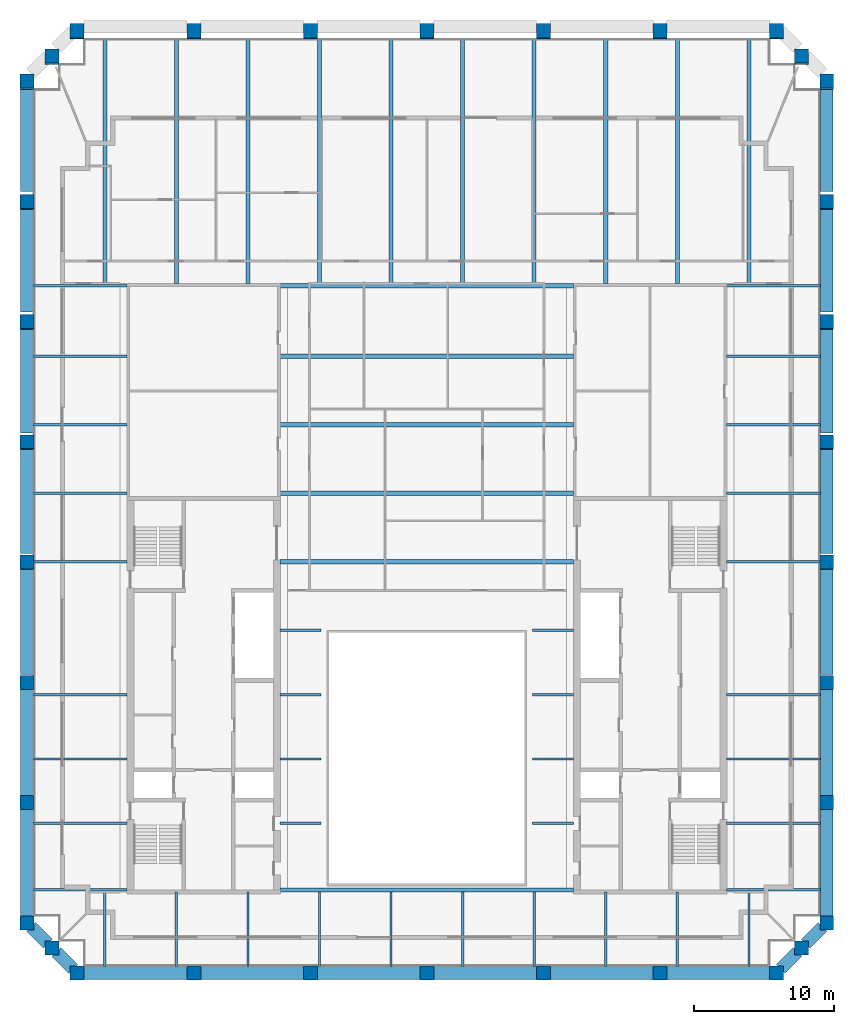
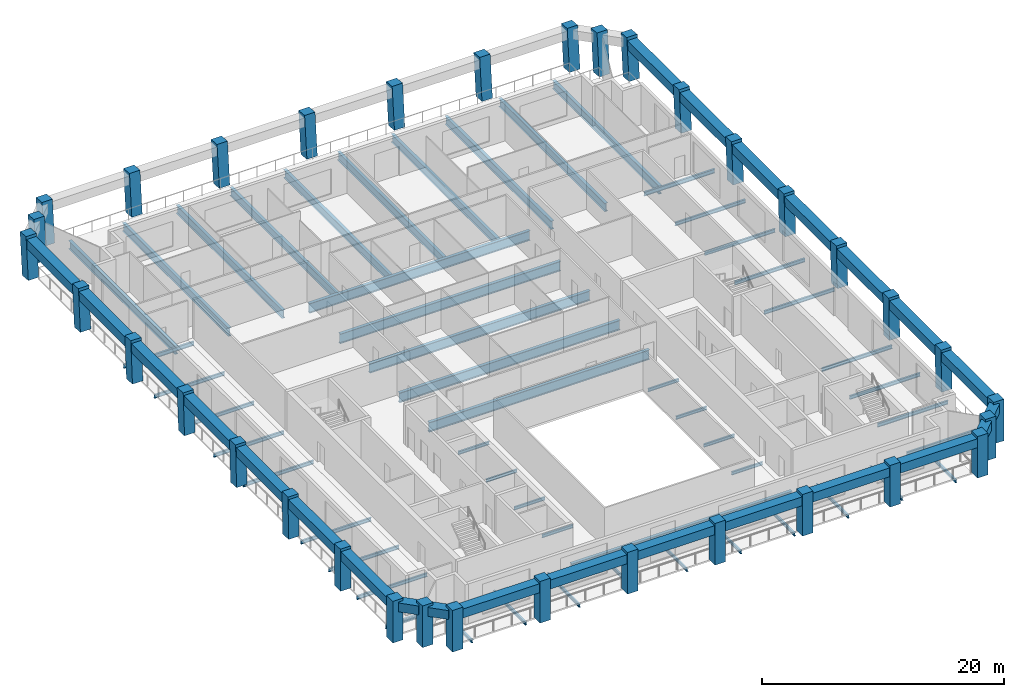
# One storey, part 1 of 8: 76 beams, 34 columns.
"""IFC4 building model written with IfcOpenShell, lengths in metres."""

from ifc_helpers import new_model, si_unit, direction, frame, origin, origin_2d, place, context, subcontext, project, spatial, rectangle, i_section, extrude, material, material_profile, profile_set, type_object, element, save


model = new_model("IFC4")

# Units and contexts
model_context = context("Model", 3, precision=1e-05, world=origin(), true_north=direction((0.0, 1.0)))
body_context = subcontext(model_context, "Body", "Model", "MODEL_VIEW")
ifc_project = project(units=[si_unit("LENGTHUNIT", "METRE"), si_unit("AREAUNIT", "SQUARE_METRE"), si_unit("VOLUMEUNIT", "CUBIC_METRE"), si_unit("PLANEANGLEUNIT", "RADIAN"), si_unit("MASSUNIT", "GRAM", prefix="KILO")], contexts=[model_context])

# Site, building, storey
site_placement = place(None, origin())
site = spatial("IfcSite", under=ifc_project, at=site_placement, CompositionType="ELEMENT")
building_placement = place(site_placement, origin())
building = spatial("IfcBuilding", under=site, at=building_placement, Name="Ogive Exchange Tower", CompositionType="ELEMENT")
storey_placement = place(building_placement, frame((0.0, 0.0, 342.60009765625)))
storey = spatial("IfcBuildingStorey", under=building, at=storey_placement, Name="L75", CompositionType="ELEMENT", Elevation=342.60009765625)

# Columns
ifc_material_1 = material(Name="Precast concrete C70/85 (limestone faced)", Category="masonry")
ifc_material_profile_1 = material_profile(ifc_material_1, rectangle(XDim=1.0, YDim=1.0, at=origin_2d()), Name="1000 x 1000")
ifc_profile_set_1 = profile_set([ifc_material_profile_1], Name="Precast concrete C70/85 (limestone faced)")
column_type = type_object("IfcColumnType", Name="Precast exoskeleton leg 1000 x 1000 C70/85", PredefinedType="COLUMN", material=ifc_profile_set_1)
for number, where, z_axis, x_axis, name in (
    (1, (-25.050048828125, -8.39990234375, 0.0), (0.0, 0.0, 1.0), (1.0, 0.0, 0.0), "Exoskeleton leg 1"),
    (2, (-16.699951171875, -8.39990234375, 0.0), (0.0, 0.0, 1.0), (1.0, 0.0, 0.0), "Exoskeleton leg 2"),
    (3, (-8.35009765625, -8.39990234375, 0.0), (0.0, 0.0, 1.0), (1.0, 0.0, 0.0), "Exoskeleton leg 3"),
    (4, (0.0, -8.39990234375, 0.0), (0.0, 0.0, 1.0), (1.0, 0.0, 0.0), "Exoskeleton leg 4"),
    (5, (8.35009765625, -8.39990234375, 0.0), (0.0, 0.0, 1.0), (1.0, 0.0, 0.0), "Exoskeleton leg 5"),
    (6, (16.699951171875, -8.39990234375, 0.0), (0.0, 0.0, 1.0), (1.0, 0.0, 0.0), "Exoskeleton leg 6"),
    (7, (25.050048828125, -8.39990234375, 0.0), (0.0, 0.0, 1.0), (1.0, 0.0, 0.0), "Exoskeleton leg 7"),
    (8, (28.64990234375, -4.800048828125, 0.0), (0.0, 0.0, 1.0), (1.0, 0.0, 0.0), "Exoskeleton leg 8"),
):
    element("IfcColumn", number, at=place(storey_placement, frame(where, z_axis=z_axis, x_axis=x_axis)), inside=storey, type_object=column_type, Name=name, PredefinedType="COLUMN", context=body_context, shape_type="SweptSolid", body=[
        extrude(rectangle(XDim=1.0, YDim=1.0, at=origin_2d()), origin(), (0.0, 0.0, 1.0), 4.199951171875),
    ])
column_1_placement = place(storey_placement, frame((28.64990234375, 3.800048828125, 0.0), z_axis=(0.0, 0.012961766342, 0.999915992778), x_axis=(-1.0, 0.0, 0.0)))
element("IfcColumn", 9, at=column_1_placement, inside=storey, type_object=column_type, Name="Exoskeleton leg 9", PredefinedType="COLUMN", context=body_context, shape_type="SweptSolid", body=[
    extrude(rectangle(XDim=1.0, YDim=1.0, at=origin_2d()), origin(), (0.0, 0.0, 1.0), 4.2001953125),
])
column_2_placement = place(storey_placement, frame((28.64990234375, 12.39990234375, 0.0), z_axis=(0.0, 0.025975072843, 0.999662590873), x_axis=(-1.0, 0.0, 0.0)))
element("IfcColumn", 10, at=column_2_placement, inside=storey, type_object=column_type, Name="Exoskeleton leg 10", PredefinedType="COLUMN", context=body_context, shape_type="SweptSolid", body=[
    extrude(rectangle(XDim=1.0, YDim=1.0, at=origin_2d()), origin(), (0.0, 0.0, 1.0), 4.201416015625),
])
column_3_placement = place(storey_placement, frame((28.64990234375, 21.0, 0.0), z_axis=(0.0, 0.038917190853, 0.999242439179), x_axis=(-1.0, 0.0, 0.0)))
element("IfcColumn", 11, at=column_3_placement, inside=storey, type_object=column_type, Name="Exoskeleton leg 11", PredefinedType="COLUMN", context=body_context, shape_type="SweptSolid", body=[
    extrude(rectangle(XDim=1.0, YDim=1.0, at=origin_2d()), origin(), (0.0, 0.0, 1.0), 4.203125),
])
column_4_placement = place(storey_placement, frame((28.64990234375, 29.60009765625, 0.0), z_axis=(0.0, 0.051839753909, 0.998655416004), x_axis=(-1.0, 0.0, 0.0)))
element("IfcColumn", 12, at=column_4_placement, inside=storey, type_object=column_type, Name="Exoskeleton leg 12", PredefinedType="COLUMN", context=body_context, shape_type="SweptSolid", body=[
    extrude(rectangle(XDim=1.0, YDim=1.0, at=origin_2d()), origin(), (0.0, 0.0, 1.0), 4.20556640625),
])
column_5_placement = place(storey_placement, frame((28.64990234375, 38.199951171875, 0.0), z_axis=(0.0, 0.064794093908, 0.997898654872), x_axis=(-1.0, 0.0, 0.0)))
element("IfcColumn", 13, at=column_5_placement, inside=storey, type_object=column_type, Name="Exoskeleton leg 13", PredefinedType="COLUMN", context=body_context, shape_type="SweptSolid", body=[
    extrude(rectangle(XDim=1.0, YDim=1.0, at=origin_2d()), origin(), (0.0, 0.0, 1.0), 4.208740234375),
])
column_6_placement = place(storey_placement, frame((28.64990234375, 46.800048828125, 0.0), z_axis=(0.0, 0.077658156178, 0.996980045326), x_axis=(-1.0, 0.0, 0.0)))
element("IfcColumn", 14, at=column_6_placement, inside=storey, type_object=column_type, Name="Exoskeleton leg 14", PredefinedType="COLUMN", context=body_context, shape_type="SweptSolid", body=[
    extrude(rectangle(XDim=1.0, YDim=1.0, at=origin_2d()), origin(), (0.0, 0.0, 1.0), 4.212646484375),
])
for number, where, z_axis, x_axis, name in (
    (15, (28.64990234375, 55.39990234375, 0.0), (0.0, 0.090540965689, 0.995892731941), (-1.0, 0.0, 0.0), "Exoskeleton leg 15"),
    (16, (25.050048828125, 59.0, 0.0), (0.0, 0.090540965689, 0.995892731941), (-1.0, 0.0, 0.0), "Exoskeleton leg 16"),
    (17, (16.699951171875, 59.0, 0.0), (0.0, 0.090540965689, 0.995892731941), (-1.0, 0.0, 0.0), "Exoskeleton leg 17"),
    (18, (8.35009765625, 59.0, 0.0), (0.0, 0.090540965689, 0.995892731941), (-1.0, 0.0, 0.0), "Exoskeleton leg 18"),
    (19, (0.0, 59.0, 0.0), (0.0, 0.090540965689, 0.995892731941), (-1.0, 0.0, 0.0), "Exoskeleton leg 19"),
    (20, (-8.35009765625, 59.0, 0.0), (0.0, 0.090540965689, 0.995892731941), (-1.0, 0.0, 0.0), "Exoskeleton leg 20"),
    (21, (-16.699951171875, 59.0, 0.0), (0.0, 0.090540965689, 0.995892731941), (-1.0, 0.0, 0.0), "Exoskeleton leg 21"),
    (22, (-25.050048828125, 59.0, 0.0), (0.0, 0.090540965689, 0.995892731941), (-1.0, 0.0, 0.0), "Exoskeleton leg 22"),
    (23, (-28.64990234375, 55.39990234375, 0.0), (0.0, 0.090540965689, 0.995892731941), (-1.0, 0.0, 0.0), "Exoskeleton leg 23"),
):
    element("IfcColumn", number, at=place(storey_placement, frame(where, z_axis=z_axis, x_axis=x_axis)), inside=storey, type_object=column_type, Name=name, PredefinedType="COLUMN", context=body_context, shape_type="SweptSolid", body=[
        extrude(rectangle(XDim=1.0, YDim=1.0, at=origin_2d()), origin(), (0.0, 0.0, 1.0), 4.21728515625),
    ])
column_7_placement = place(storey_placement, frame((-28.64990234375, 46.800048828125, 0.0), z_axis=(0.0, 0.077658156178, 0.996980045326), x_axis=(-1.0, 0.0, 0.0)))
element("IfcColumn", 24, at=column_7_placement, inside=storey, type_object=column_type, Name="Exoskeleton leg 24", PredefinedType="COLUMN", context=body_context, shape_type="SweptSolid", body=[
    extrude(rectangle(XDim=1.0, YDim=1.0, at=origin_2d()), origin(), (0.0, 0.0, 1.0), 4.212646484375),
])
column_8_placement = place(storey_placement, frame((-28.64990234375, 38.199951171875, 0.0), z_axis=(0.0, 0.064794093908, 0.997898654872), x_axis=(-1.0, 0.0, 0.0)))
element("IfcColumn", 25, at=column_8_placement, inside=storey, type_object=column_type, Name="Exoskeleton leg 25", PredefinedType="COLUMN", context=body_context, shape_type="SweptSolid", body=[
    extrude(rectangle(XDim=1.0, YDim=1.0, at=origin_2d()), origin(), (0.0, 0.0, 1.0), 4.208740234375),
])
column_9_placement = place(storey_placement, frame((-28.64990234375, 29.60009765625, 0.0), z_axis=(0.0, 0.051839753909, 0.998655416004), x_axis=(-1.0, 0.0, 0.0)))
element("IfcColumn", 26, at=column_9_placement, inside=storey, type_object=column_type, Name="Exoskeleton leg 26", PredefinedType="COLUMN", context=body_context, shape_type="SweptSolid", body=[
    extrude(rectangle(XDim=1.0, YDim=1.0, at=origin_2d()), origin(), (0.0, 0.0, 1.0), 4.20556640625),
])
column_10_placement = place(storey_placement, frame((-28.64990234375, 21.0, 0.0), z_axis=(0.0, 0.038917190853, 0.999242439179), x_axis=(-1.0, 0.0, 0.0)))
element("IfcColumn", 27, at=column_10_placement, inside=storey, type_object=column_type, Name="Exoskeleton leg 27", PredefinedType="COLUMN", context=body_context, shape_type="SweptSolid", body=[
    extrude(rectangle(XDim=1.0, YDim=1.0, at=origin_2d()), origin(), (0.0, 0.0, 1.0), 4.203125),
])
column_11_placement = place(storey_placement, frame((-28.64990234375, 12.39990234375, 0.0), z_axis=(0.0, 0.025975072843, 0.999662590873), x_axis=(-1.0, 0.0, 0.0)))
element("IfcColumn", 28, at=column_11_placement, inside=storey, type_object=column_type, Name="Exoskeleton leg 28", PredefinedType="COLUMN", context=body_context, shape_type="SweptSolid", body=[
    extrude(rectangle(XDim=1.0, YDim=1.0, at=origin_2d()), origin(), (0.0, 0.0, 1.0), 4.201416015625),
])
column_12_placement = place(storey_placement, frame((-28.64990234375, 3.800048828125, 0.0), z_axis=(0.0, 0.012961766342, 0.999915992778), x_axis=(-1.0, 0.0, 0.0)))
element("IfcColumn", 29, at=column_12_placement, inside=storey, type_object=column_type, Name="Exoskeleton leg 29", PredefinedType="COLUMN", context=body_context, shape_type="SweptSolid", body=[
    extrude(rectangle(XDim=1.0, YDim=1.0, at=origin_2d()), origin(), (0.0, 0.0, 1.0), 4.2001953125),
])
for number, where, z_axis, x_axis, name in (
    (30, (-28.64990234375, -4.800048828125, 0.0), (0.0, 0.0, 1.0), (1.0, 0.0, 0.0), "Exoskeleton leg 30"),
    (31, (26.85009765625, -6.60009765625, 0.0), (0.0, 0.0, 1.0), (1.0, 0.0, 0.0), "Exoskeleton leg 31"),
):
    element("IfcColumn", number, at=place(storey_placement, frame(where, z_axis=z_axis, x_axis=x_axis)), inside=storey, type_object=column_type, Name=name, PredefinedType="COLUMN", context=body_context, shape_type="SweptSolid", body=[
        extrude(rectangle(XDim=1.0, YDim=1.0, at=origin_2d()), origin(), (0.0, 0.0, 1.0), 4.199951171875),
    ])
for number, where, z_axis, x_axis, name in (
    (32, (26.85009765625, 57.199951171875, 0.0), (0.0, 0.090540965689, 0.995892731941), (-1.0, 0.0, 0.0), "Exoskeleton leg 32"),
    (33, (-26.85009765625, 57.199951171875, 0.0), (0.0, 0.090540965689, 0.995892731941), (-1.0, 0.0, 0.0), "Exoskeleton leg 33"),
):
    element("IfcColumn", number, at=place(storey_placement, frame(where, z_axis=z_axis, x_axis=x_axis)), inside=storey, type_object=column_type, Name=name, PredefinedType="COLUMN", context=body_context, shape_type="SweptSolid", body=[
        extrude(rectangle(XDim=1.0, YDim=1.0, at=origin_2d()), origin(), (0.0, 0.0, 1.0), 4.21728515625),
    ])
column_13_placement = place(storey_placement, frame((-26.85009765625, -6.60009765625, 0.0), z_axis=(0.0, 0.0, 1.0), x_axis=(1.0, 0.0, 0.0)))
element("IfcColumn", 34, at=column_13_placement, inside=storey, type_object=column_type, Name="Exoskeleton leg 34", PredefinedType="COLUMN", context=body_context, shape_type="SweptSolid", body=[
    extrude(rectangle(XDim=1.0, YDim=1.0, at=origin_2d()), origin(), (0.0, 0.0, 1.0), 4.199951171875),
])

# Beams
ifc_material_2 = material(Name="Steel ASTM A992 Gr50", Category="steel")
ifc_material_profile_2 = material_profile(ifc_material_2, i_section(OverallWidth=0.300048828125, OverallDepth=0.97998046875, WebThickness=0.0166015625, FlangeThickness=0.026123046875, at=origin_2d()), Name="W1000x249")
ifc_profile_set_2 = profile_set([ifc_material_profile_2], Name="Steel ASTM A992 Gr50")
beam_type_1 = type_object("IfcBeamType", Name="Floor beam W1000x249", PredefinedType="JOIST", material=ifc_profile_set_2)
for number, where, z_axis, x_axis, name in (
    (35, (-10.52001953125, 21.06201171875, -0.690185546875), (1.0, 0.0, 0.0), (0.0, 1.0, 0.0), "Floor beam"),
    (36, (-10.52001953125, 25.968994140625, -0.690185546875), (1.0, 0.0, 0.0), (0.0, 1.0, 0.0), "Floor beam"),
    (37, (-10.52001953125, 30.8759765625, -0.690185546875), (1.0, 0.0, 0.0), (0.0, 1.0, 0.0), "Floor beam"),
    (38, (-10.52001953125, 35.782958984375, -0.690185546875), (1.0, 0.0, 0.0), (0.0, 1.0, 0.0), "Floor beam"),
):
    element("IfcBeam", number, at=place(storey_placement, frame(where, z_axis=z_axis, x_axis=x_axis)), inside=storey, type_object=beam_type_1, Name=name, PredefinedType="JOIST", context=body_context, shape_type="SweptSolid", body=[
        extrude(i_section(OverallWidth=0.300048828125, OverallDepth=0.97998046875, WebThickness=0.0166015625, FlangeThickness=0.026123046875, at=origin_2d()), origin(), (0.0, 0.0, 1.0), 21.0400390625),
    ])
ifc_material_profile_3 = material_profile(ifc_material_2, i_section(OverallWidth=0.1650390625, OverallDepth=0.31005859375, WebThickness=0.005859375, FlangeThickness=0.009765625, at=origin_2d()), Name="W310x38.7")
ifc_profile_set_3 = profile_set([ifc_material_profile_3], Name="Steel ASTM A992 Gr50")
beam_type_2 = type_object("IfcBeamType", Name="Floor beam W310x38.7", PredefinedType="JOIST", material=ifc_profile_set_3)
for number, where, z_axis, x_axis, name in (
    (39, (-10.52001953125, 2.3212890625, -0.35498046875), (1.0, 0.0, 0.0), (0.0, 1.0, 0.0), "Floor beam"),
    (40, (7.570068359375, 2.3212890625, -0.35498046875), (1.0, 0.0, 0.0), (0.0, 1.0, 0.0), "Floor beam"),
    (41, (-10.52001953125, 6.9326171875, -0.35498046875), (1.0, 0.0, 0.0), (0.0, 1.0, 0.0), "Floor beam"),
    (42, (7.570068359375, 6.9326171875, -0.35498046875), (1.0, 0.0, 0.0), (0.0, 1.0, 0.0), "Floor beam"),
    (43, (-10.52001953125, 11.543701171875, -0.35498046875), (1.0, 0.0, 0.0), (0.0, 1.0, 0.0), "Floor beam"),
    (44, (7.570068359375, 11.543701171875, -0.35498046875), (1.0, 0.0, 0.0), (0.0, 1.0, 0.0), "Floor beam"),
):
    element("IfcBeam", number, at=place(storey_placement, frame(where, z_axis=z_axis, x_axis=x_axis)), inside=storey, type_object=beam_type_2, Name=name, PredefinedType="JOIST", context=body_context, shape_type="SweptSolid", body=[
        extrude(i_section(OverallWidth=0.1650390625, OverallDepth=0.31005859375, WebThickness=0.005859375, FlangeThickness=0.009765625, at=origin_2d()), origin(), (0.0, 0.0, 1.0), 2.949951171875),
    ])
beam_1_placement = place(storey_placement, frame((-23.07275390625, -7.949951171875, -0.35498046875), z_axis=(0.0, 1.0, 0.0), x_axis=(-1.0, 0.0, 0.0)))
element("IfcBeam", 45, at=beam_1_placement, inside=storey, type_object=beam_type_2, Name="Floor beam", PredefinedType="JOIST", context=body_context, shape_type="SweptSolid", body=[
    extrude(i_section(OverallWidth=0.1650390625, OverallDepth=0.31005859375, WebThickness=0.005859375, FlangeThickness=0.009765625, at=origin_2d()), origin(), (0.0, 0.0, 1.0), 5.416015625),
])
for number, where, z_axis, x_axis, name in (
    (46, (-17.945556640625, -7.949951171875, -0.35498046875), (0.0, 1.0, 0.0), (-1.0, 0.0, 0.0), "Floor beam"),
    (47, (-12.818115234375, -7.949951171875, -0.35498046875), (0.0, 1.0, 0.0), (-1.0, 0.0, 0.0), "Floor beam"),
):
    element("IfcBeam", number, at=place(storey_placement, frame(where, z_axis=z_axis, x_axis=x_axis)), inside=storey, type_object=beam_type_2, Name=name, PredefinedType="JOIST", context=body_context, shape_type="SweptSolid", body=[
        extrude(i_section(OverallWidth=0.1650390625, OverallDepth=0.31005859375, WebThickness=0.005859375, FlangeThickness=0.009765625, at=origin_2d()), origin(), (0.0, 0.0, 1.0), 5.349853515625),
    ])
for number, where, z_axis, x_axis, name in (
    (48, (-7.69091796875, -7.949951171875, -0.35498046875), (0.0, 1.0, 0.0), (-1.0, 0.0, 0.0), "Floor beam"),
    (49, (-2.563720703125, -7.949951171875, -0.35498046875), (0.0, 1.0, 0.0), (-1.0, 0.0, 0.0), "Floor beam"),
    (50, (2.563720703125, -7.949951171875, -0.35498046875), (0.0, 1.0, 0.0), (-1.0, 0.0, 0.0), "Floor beam"),
    (51, (7.69091796875, -7.949951171875, -0.35498046875), (0.0, 1.0, 0.0), (-1.0, 0.0, 0.0), "Floor beam"),
):
    element("IfcBeam", number, at=place(storey_placement, frame(where, z_axis=z_axis, x_axis=x_axis)), inside=storey, type_object=beam_type_2, Name=name, PredefinedType="JOIST", context=body_context, shape_type="SweptSolid", body=[
        extrude(i_section(OverallWidth=0.1650390625, OverallDepth=0.31005859375, WebThickness=0.005859375, FlangeThickness=0.009765625, at=origin_2d()), origin(), (0.0, 0.0, 1.0), 5.35498046875),
    ])
for number, where, z_axis, x_axis, name in (
    (52, (12.818115234375, -7.949951171875, -0.35498046875), (0.0, 1.0, 0.0), (-1.0, 0.0, 0.0), "Floor beam"),
    (53, (17.945556640625, -7.949951171875, -0.35498046875), (0.0, 1.0, 0.0), (-1.0, 0.0, 0.0), "Floor beam"),
):
    element("IfcBeam", number, at=place(storey_placement, frame(where, z_axis=z_axis, x_axis=x_axis)), inside=storey, type_object=beam_type_2, Name=name, PredefinedType="JOIST", context=body_context, shape_type="SweptSolid", body=[
        extrude(i_section(OverallWidth=0.1650390625, OverallDepth=0.31005859375, WebThickness=0.005859375, FlangeThickness=0.009765625, at=origin_2d()), origin(), (0.0, 0.0, 1.0), 5.349853515625),
    ])
beam_2_placement = place(storey_placement, frame((23.07275390625, -7.949951171875, -0.35498046875), z_axis=(0.0, 1.0, 0.0), x_axis=(-1.0, 0.0, 0.0)))
element("IfcBeam", 54, at=beam_2_placement, inside=storey, type_object=beam_type_2, Name="Floor beam", PredefinedType="JOIST", context=body_context, shape_type="SweptSolid", body=[
    extrude(i_section(OverallWidth=0.1650390625, OverallDepth=0.31005859375, WebThickness=0.005859375, FlangeThickness=0.009765625, at=origin_2d()), origin(), (0.0, 0.0, 1.0), 5.416015625),
])
ifc_material_profile_4 = material_profile(ifc_material_2, i_section(OverallWidth=0.1708984375, OverallDepth=0.35595703125, WebThickness=0.00732421875, FlangeThickness=0.01171875, at=origin_2d()), Name="W360x51")
ifc_profile_set_4 = profile_set([ifc_material_profile_4], Name="Steel ASTM A992 Gr50")
beam_type_3 = type_object("IfcBeamType", Name="Floor beam W360x51", PredefinedType="JOIST", material=ifc_profile_set_4)
for number, where, z_axis, x_axis, name in (
    (55, (-28.199951171875, 2.3212890625, -0.378173828125), (1.0, 0.0, 0.0), (0.0, 1.0, 0.0), "Floor beam"),
    (56, (21.47998046875, 2.3212890625, -0.378173828125), (1.0, 0.0, 0.0), (0.0, 1.0, 0.0), "Floor beam"),
    (57, (-28.199951171875, 6.9326171875, -0.378173828125), (1.0, 0.0, 0.0), (0.0, 1.0, 0.0), "Floor beam"),
    (58, (21.47998046875, 6.9326171875, -0.378173828125), (1.0, 0.0, 0.0), (0.0, 1.0, 0.0), "Floor beam"),
    (59, (-28.199951171875, 11.543701171875, -0.378173828125), (1.0, 0.0, 0.0), (0.0, 1.0, 0.0), "Floor beam"),
    (60, (21.47998046875, 11.543701171875, -0.378173828125), (1.0, 0.0, 0.0), (0.0, 1.0, 0.0), "Floor beam"),
    (61, (-28.199951171875, 21.06201171875, -0.378173828125), (1.0, 0.0, 0.0), (0.0, 1.0, 0.0), "Floor beam"),
    (62, (21.47998046875, 21.06201171875, -0.378173828125), (1.0, 0.0, 0.0), (0.0, 1.0, 0.0), "Floor beam"),
    (63, (-28.199951171875, 25.968994140625, -0.378173828125), (1.0, 0.0, 0.0), (0.0, 1.0, 0.0), "Floor beam"),
    (64, (21.47998046875, 25.968994140625, -0.378173828125), (1.0, 0.0, 0.0), (0.0, 1.0, 0.0), "Floor beam"),
    (65, (-28.199951171875, 30.8759765625, -0.378173828125), (1.0, 0.0, 0.0), (0.0, 1.0, 0.0), "Floor beam"),
    (66, (21.47998046875, 30.8759765625, -0.378173828125), (1.0, 0.0, 0.0), (0.0, 1.0, 0.0), "Floor beam"),
    (67, (-28.199951171875, 35.782958984375, -0.378173828125), (1.0, 0.0, 0.0), (0.0, 1.0, 0.0), "Floor beam"),
    (68, (21.47998046875, 35.782958984375, -0.378173828125), (1.0, 0.0, 0.0), (0.0, 1.0, 0.0), "Floor beam"),
):
    element("IfcBeam", number, at=place(storey_placement, frame(where, z_axis=z_axis, x_axis=x_axis)), inside=storey, type_object=beam_type_3, Name=name, PredefinedType="JOIST", context=body_context, shape_type="SweptSolid", body=[
        extrude(i_section(OverallWidth=0.1708984375, OverallDepth=0.35595703125, WebThickness=0.00732421875, FlangeThickness=0.01171875, at=origin_2d()), origin(), (0.0, 0.0, 1.0), 6.719970703125),
    ])
ifc_material_profile_5 = material_profile(ifc_material_2, i_section(OverallWidth=0.2919921875, OverallDepth=0.8359375, WebThickness=0.013916015625, FlangeThickness=0.018798828125, at=origin_2d()), Name="W840x176")
ifc_profile_set_5 = profile_set([ifc_material_profile_5], Name="Steel ASTM A992 Gr50")
beam_type_4 = type_object("IfcBeamType", Name="Floor beam W840x176", PredefinedType="JOIST", material=ifc_profile_set_5)
beam_3_placement = place(storey_placement, frame((-23.07275390625, 40.93408203125, -0.6181640625), z_axis=(0.0, 1.0, 0.0), x_axis=(-1.0, 0.0, 0.0)))
element("IfcBeam", 69, at=beam_3_placement, inside=storey, type_object=beam_type_4, Name="Floor beam", PredefinedType="JOIST", context=body_context, shape_type="SweptSolid", body=[
    extrude(i_section(OverallWidth=0.2919921875, OverallDepth=0.8359375, WebThickness=0.013916015625, FlangeThickness=0.018798828125, at=origin_2d()), origin(), (0.0, 0.0, 1.0), 17.615966796875),
])
for number, where, z_axis, x_axis, name in (
    (70, (-17.945556640625, 41.0, -0.6181640625), (0.0, 1.0, 0.0), (-1.0, 0.0, 0.0), "Floor beam"),
    (71, (-12.818115234375, 41.0, -0.6181640625), (0.0, 1.0, 0.0), (-1.0, 0.0, 0.0), "Floor beam"),
):
    element("IfcBeam", number, at=place(storey_placement, frame(where, z_axis=z_axis, x_axis=x_axis)), inside=storey, type_object=beam_type_4, Name=name, PredefinedType="JOIST", context=body_context, shape_type="SweptSolid", body=[
        extrude(i_section(OverallWidth=0.2919921875, OverallDepth=0.8359375, WebThickness=0.013916015625, FlangeThickness=0.018798828125, at=origin_2d()), origin(), (0.0, 0.0, 1.0), 17.550048828125),
    ])
for number, where, z_axis, x_axis, name in (
    (72, (-7.69091796875, 40.9951171875, -0.6181640625), (0.0, 1.0, 0.0), (-1.0, 0.0, 0.0), "Floor beam"),
    (73, (-2.563720703125, 40.9951171875, -0.6181640625), (0.0, 1.0, 0.0), (-1.0, 0.0, 0.0), "Floor beam"),
    (74, (2.563720703125, 40.9951171875, -0.6181640625), (0.0, 1.0, 0.0), (-1.0, 0.0, 0.0), "Floor beam"),
    (75, (7.69091796875, 40.9951171875, -0.6181640625), (0.0, 1.0, 0.0), (-1.0, 0.0, 0.0), "Floor beam"),
):
    element("IfcBeam", number, at=place(storey_placement, frame(where, z_axis=z_axis, x_axis=x_axis)), inside=storey, type_object=beam_type_4, Name=name, PredefinedType="JOIST", context=body_context, shape_type="SweptSolid", body=[
        extrude(i_section(OverallWidth=0.2919921875, OverallDepth=0.8359375, WebThickness=0.013916015625, FlangeThickness=0.018798828125, at=origin_2d()), origin(), (0.0, 0.0, 1.0), 17.554931640625),
    ])
for number, where, z_axis, x_axis, name in (
    (76, (12.818115234375, 41.0, -0.6181640625), (0.0, 1.0, 0.0), (-1.0, 0.0, 0.0), "Floor beam"),
    (77, (17.945556640625, 41.0, -0.6181640625), (0.0, 1.0, 0.0), (-1.0, 0.0, 0.0), "Floor beam"),
):
    element("IfcBeam", number, at=place(storey_placement, frame(where, z_axis=z_axis, x_axis=x_axis)), inside=storey, type_object=beam_type_4, Name=name, PredefinedType="JOIST", context=body_context, shape_type="SweptSolid", body=[
        extrude(i_section(OverallWidth=0.2919921875, OverallDepth=0.8359375, WebThickness=0.013916015625, FlangeThickness=0.018798828125, at=origin_2d()), origin(), (0.0, 0.0, 1.0), 17.550048828125),
    ])
beam_4_placement = place(storey_placement, frame((23.07275390625, 40.93408203125, -0.6181640625), z_axis=(0.0, 1.0, 0.0), x_axis=(-1.0, 0.0, 0.0)))
element("IfcBeam", 78, at=beam_4_placement, inside=storey, type_object=beam_type_4, Name="Floor beam", PredefinedType="JOIST", context=body_context, shape_type="SweptSolid", body=[
    extrude(i_section(OverallWidth=0.2919921875, OverallDepth=0.8359375, WebThickness=0.013916015625, FlangeThickness=0.018798828125, at=origin_2d()), origin(), (0.0, 0.0, 1.0), 17.615966796875),
])
ifc_material_profile_6 = material_profile(ifc_material_2, i_section(OverallWidth=0.300048828125, OverallDepth=0.97998046875, WebThickness=0.0166015625, FlangeThickness=0.026123046875, at=origin_2d()), Name="W1000x249")
ifc_profile_set_6 = profile_set([ifc_material_profile_6], Name="Steel ASTM A992 Gr50")
beam_type_5 = type_object("IfcBeamType", Name="Girder W1000x249", PredefinedType="BEAM", material=ifc_profile_set_6)
for number, where, z_axis, x_axis, name in (
    (79, (-10.52001953125, -2.445068359375, -0.690185546875), (1.0, 0.0, 0.0), (0.0, 1.0, 0.0), "Header girder"),
    (80, (-10.52001953125, 40.844970703125, -0.690185546875), (1.0, 0.0, 0.0), (0.0, 1.0, 0.0), "Header girder"),
):
    element("IfcBeam", number, at=place(storey_placement, frame(where, z_axis=z_axis, x_axis=x_axis)), inside=storey, type_object=beam_type_5, Name=name, PredefinedType="BEAM", context=body_context, shape_type="SweptSolid", body=[
        extrude(i_section(OverallWidth=0.300048828125, OverallDepth=0.97998046875, WebThickness=0.0166015625, FlangeThickness=0.026123046875, at=origin_2d()), origin(), (0.0, 0.0, 1.0), 21.0400390625),
    ])
ifc_material_profile_7 = material_profile(ifc_material_2, i_section(OverallWidth=0.1650390625, OverallDepth=0.31005859375, WebThickness=0.005859375, FlangeThickness=0.009765625, at=origin_2d()), Name="W310x38.7")
ifc_profile_set_7 = profile_set([ifc_material_profile_7], Name="Steel ASTM A992 Gr50")
beam_type_6 = type_object("IfcBeamType", Name="Girder W310x38.7", PredefinedType="BEAM", material=ifc_profile_set_7)
for number, where, z_axis, x_axis, name in (
    (81, (-10.52001953125, 16.155029296875, -0.35498046875), (1.0, 0.0, 0.0), (0.0, 1.0, 0.0), "Trimmer girder"),
    (82, (7.570068359375, 16.155029296875, -0.35498046875), (1.0, 0.0, 0.0), (0.0, 1.0, 0.0), "Trimmer girder"),
):
    element("IfcBeam", number, at=place(storey_placement, frame(where, z_axis=z_axis, x_axis=x_axis)), inside=storey, type_object=beam_type_6, Name=name, PredefinedType="BEAM", context=body_context, shape_type="SweptSolid", body=[
        extrude(i_section(OverallWidth=0.1650390625, OverallDepth=0.31005859375, WebThickness=0.005859375, FlangeThickness=0.009765625, at=origin_2d()), origin(), (0.0, 0.0, 1.0), 2.949951171875),
    ])
ifc_material_profile_8 = material_profile(ifc_material_2, i_section(OverallWidth=0.177978515625, OverallDepth=0.406005859375, WebThickness=0.0078125, FlangeThickness=0.0126953125, at=origin_2d()), Name="W410x60")
ifc_profile_set_8 = profile_set([ifc_material_profile_8], Name="Steel ASTM A992 Gr50")
beam_type_7 = type_object("IfcBeamType", Name="Girder W410x60", PredefinedType="BEAM", material=ifc_profile_set_8)
for number, where, z_axis, x_axis, name in (
    (83, (-28.199951171875, -2.445068359375, -0.403076171875), (1.0, 0.0, 0.0), (0.0, 1.0, 0.0), "Header girder"),
    (84, (21.47998046875, -2.445068359375, -0.403076171875), (1.0, 0.0, 0.0), (0.0, 1.0, 0.0), "Header girder"),
    (85, (-28.199951171875, 40.844970703125, -0.403076171875), (1.0, 0.0, 0.0), (0.0, 1.0, 0.0), "Header girder"),
    (86, (21.47998046875, 40.844970703125, -0.403076171875), (1.0, 0.0, 0.0), (0.0, 1.0, 0.0), "Header girder"),
):
    element("IfcBeam", number, at=place(storey_placement, frame(where, z_axis=z_axis, x_axis=x_axis)), inside=storey, type_object=beam_type_7, Name=name, PredefinedType="BEAM", context=body_context, shape_type="SweptSolid", body=[
        extrude(i_section(OverallWidth=0.177978515625, OverallDepth=0.406005859375, WebThickness=0.0078125, FlangeThickness=0.0126953125, at=origin_2d()), origin(), (0.0, 0.0, 1.0), 6.719970703125),
    ])
ifc_material_profile_9 = material_profile(ifc_material_1, rectangle(XDim=0.89990234375, YDim=0.89990234375, at=origin_2d()), Name="900 x 900")
ifc_profile_set_9 = profile_set([ifc_material_profile_9], Name="Precast concrete C70/85 (limestone faced)")
beam_type_8 = type_object("IfcBeamType", Name="Precast spandrel 900 x 900 C70/85", PredefinedType="SPANDREL", material=ifc_profile_set_9)
beam_5_placement = place(storey_placement, frame((-24.570068359375, -8.39990234375, 3.5), z_axis=(1.0, 0.0, 0.0), x_axis=(0.0, 1.0, 0.0)))
element("IfcBeam", 87, at=beam_5_placement, inside=storey, type_object=beam_type_8, Name="Spandrel 1", PredefinedType="SPANDREL", context=body_context, shape_type="SweptSolid", body=[
    extrude(rectangle(XDim=0.89990234375, YDim=0.89990234375, at=origin_2d()), origin(), (0.0, 0.0, 1.0), 7.39013671875),
])
beam_6_placement = place(storey_placement, frame((-16.219970703125, -8.39990234375, 3.5), z_axis=(1.0, 0.0, 0.0), x_axis=(0.0, 1.0, 0.0)))
element("IfcBeam", 88, at=beam_6_placement, inside=storey, type_object=beam_type_8, Name="Spandrel 2", PredefinedType="SPANDREL", context=body_context, shape_type="SweptSolid", body=[
    extrude(rectangle(XDim=0.89990234375, YDim=0.89990234375, at=origin_2d()), origin(), (0.0, 0.0, 1.0), 7.389892578125),
])
for number, where, z_axis, x_axis, name in (
    (89, (-7.8701171875, -8.39990234375, 3.5), (1.0, 0.0, 0.0), (0.0, 1.0, 0.0), "Spandrel 3"),
    (90, (0.47998046875, -8.39990234375, 3.5), (1.0, 0.0, 0.0), (0.0, 1.0, 0.0), "Spandrel 4"),
):
    element("IfcBeam", number, at=place(storey_placement, frame(where, z_axis=z_axis, x_axis=x_axis)), inside=storey, type_object=beam_type_8, Name=name, PredefinedType="SPANDREL", context=body_context, shape_type="SweptSolid", body=[
        extrude(rectangle(XDim=0.89990234375, YDim=0.89990234375, at=origin_2d()), origin(), (0.0, 0.0, 1.0), 7.39013671875),
    ])
beam_7_placement = place(storey_placement, frame((8.830078125, -8.39990234375, 3.5), z_axis=(1.0, 0.0, 0.0), x_axis=(0.0, 1.0, 0.0)))
element("IfcBeam", 91, at=beam_7_placement, inside=storey, type_object=beam_type_8, Name="Spandrel 5", PredefinedType="SPANDREL", context=body_context, shape_type="SweptSolid", body=[
    extrude(rectangle(XDim=0.89990234375, YDim=0.89990234375, at=origin_2d()), origin(), (0.0, 0.0, 1.0), 7.389892578125),
])
beam_8_placement = place(storey_placement, frame((17.179931640625, -8.39990234375, 3.5), z_axis=(1.0, 0.0, 0.0), x_axis=(0.0, 1.0, 0.0)))
element("IfcBeam", 92, at=beam_8_placement, inside=storey, type_object=beam_type_8, Name="Spandrel 6", PredefinedType="SPANDREL", context=body_context, shape_type="SweptSolid", body=[
    extrude(rectangle(XDim=0.89990234375, YDim=0.89990234375, at=origin_2d()), origin(), (0.0, 0.0, 1.0), 7.39013671875),
])
for number, where, z_axis, x_axis, name in (
    (93, (25.337890625, -8.112060546875, 3.5), (0.707106781187, 0.707106781187, 0.0), (-0.707106781187, 0.707106781187, 0.0), "Spandrel 7"),
    (94, (27.137939453125, -6.31201171875, 3.5), (0.707106781187, 0.707106781187, 0.0), (-0.707106781187, 0.707106781187, 0.0), "Spandrel 8"),
):
    element("IfcBeam", number, at=place(storey_placement, frame(where, z_axis=z_axis, x_axis=x_axis)), inside=storey, type_object=beam_type_8, Name=name, PredefinedType="SPANDREL", context=body_context, shape_type="SweptSolid", body=[
        extrude(rectangle(XDim=0.89990234375, YDim=0.89990234375, at=origin_2d()), origin(), (0.0, 0.0, 1.0), 1.731201171875),
    ])
for number, where, z_axis, x_axis, name in (
    (95, (28.64990234375, -4.320068359375, 3.5), (0.0, 1.0, 0.0), (-1.0, 0.0, 0.0), "Spandrel 9"),
    (96, (28.64990234375, 4.33447265625, 3.5), (0.0, 1.0, 0.0), (-1.0, 0.0, 0.0), "Spandrel 10"),
    (97, (28.64990234375, 12.989013671875, 3.5), (0.0, 1.0, 0.0), (-1.0, 0.0, 0.0), "Spandrel 11"),
    (98, (28.64990234375, 21.6435546875, 3.5), (0.0, 1.0, 0.0), (-1.0, 0.0, 0.0), "Spandrel 12"),
    (99, (28.64990234375, 30.298095703125, 3.5), (0.0, 1.0, 0.0), (-1.0, 0.0, 0.0), "Spandrel 13"),
    (100, (28.64990234375, 38.95263671875, 3.5), (0.0, 1.0, 0.0), (-1.0, 0.0, 0.0), "Spandrel 14"),
):
    element("IfcBeam", number, at=place(storey_placement, frame(where, z_axis=z_axis, x_axis=x_axis)), inside=storey, type_object=beam_type_8, Name=name, PredefinedType="SPANDREL", context=body_context, shape_type="SweptSolid", body=[
        extrude(rectangle(XDim=0.89990234375, YDim=0.89990234375, at=origin_2d()), origin(), (0.0, 0.0, 1.0), 7.694580078125),
    ])
for number, where, z_axis, x_axis, name in (
    (101, (28.64990234375, 47.607421875, 3.5), (0.0, 1.0, 0.0), (-1.0, 0.0, 0.0), "Spandrel 15"),
    (102, (-28.64990234375, 55.3017578125, 3.5), (0.0, -1.0, 0.0), (1.0, 0.0, 0.0), "Spandrel 26"),
):
    element("IfcBeam", number, at=place(storey_placement, frame(where, z_axis=z_axis, x_axis=x_axis)), inside=storey, type_object=beam_type_8, Name=name, PredefinedType="SPANDREL", context=body_context, shape_type="SweptSolid", body=[
        extrude(rectangle(XDim=0.89990234375, YDim=0.89990234375, at=origin_2d()), origin(), (0.0, 0.0, 1.0), 7.6943359375),
    ])
for number, where, z_axis, x_axis, name in (
    (103, (-28.64990234375, 46.647216796875, 3.5), (0.0, -1.0, 0.0), (1.0, 0.0, 0.0), "Spandrel 27"),
    (104, (-28.64990234375, 37.99267578125, 3.5), (0.0, -1.0, 0.0), (1.0, 0.0, 0.0), "Spandrel 28"),
    (105, (-28.64990234375, 29.338134765625, 3.5), (0.0, -1.0, 0.0), (1.0, 0.0, 0.0), "Spandrel 29"),
    (106, (-28.64990234375, 20.68359375, 3.5), (0.0, -1.0, 0.0), (1.0, 0.0, 0.0), "Spandrel 30"),
    (107, (-28.64990234375, 12.029052734375, 3.5), (0.0, -1.0, 0.0), (1.0, 0.0, 0.0), "Spandrel 31"),
    (108, (-28.64990234375, 3.37451171875, 3.5), (0.0, -1.0, 0.0), (1.0, 0.0, 0.0), "Spandrel 32"),
):
    element("IfcBeam", number, at=place(storey_placement, frame(where, z_axis=z_axis, x_axis=x_axis)), inside=storey, type_object=beam_type_8, Name=name, PredefinedType="SPANDREL", context=body_context, shape_type="SweptSolid", body=[
        extrude(rectangle(XDim=0.89990234375, YDim=0.89990234375, at=origin_2d()), origin(), (0.0, 0.0, 1.0), 7.694580078125),
    ])
for number, where, z_axis, x_axis, name in (
    (109, (-28.362060546875, -5.087890625, 3.5), (0.707106781187, -0.707106781187, 0.0), (0.707106781187, 0.707106781187, 0.0), "Spandrel 33"),
    (110, (-26.56201171875, -6.887939453125, 3.5), (0.707106781187, -0.707106781187, 0.0), (0.707106781187, 0.707106781187, 0.0), "Spandrel 34"),
):
    element("IfcBeam", number, at=place(storey_placement, frame(where, z_axis=z_axis, x_axis=x_axis)), inside=storey, type_object=beam_type_8, Name=name, PredefinedType="SPANDREL", context=body_context, shape_type="SweptSolid", body=[
        extrude(rectangle(XDim=0.89990234375, YDim=0.89990234375, at=origin_2d()), origin(), (0.0, 0.0, 1.0), 1.731201171875),
    ])

save(model, "model.ifc")
